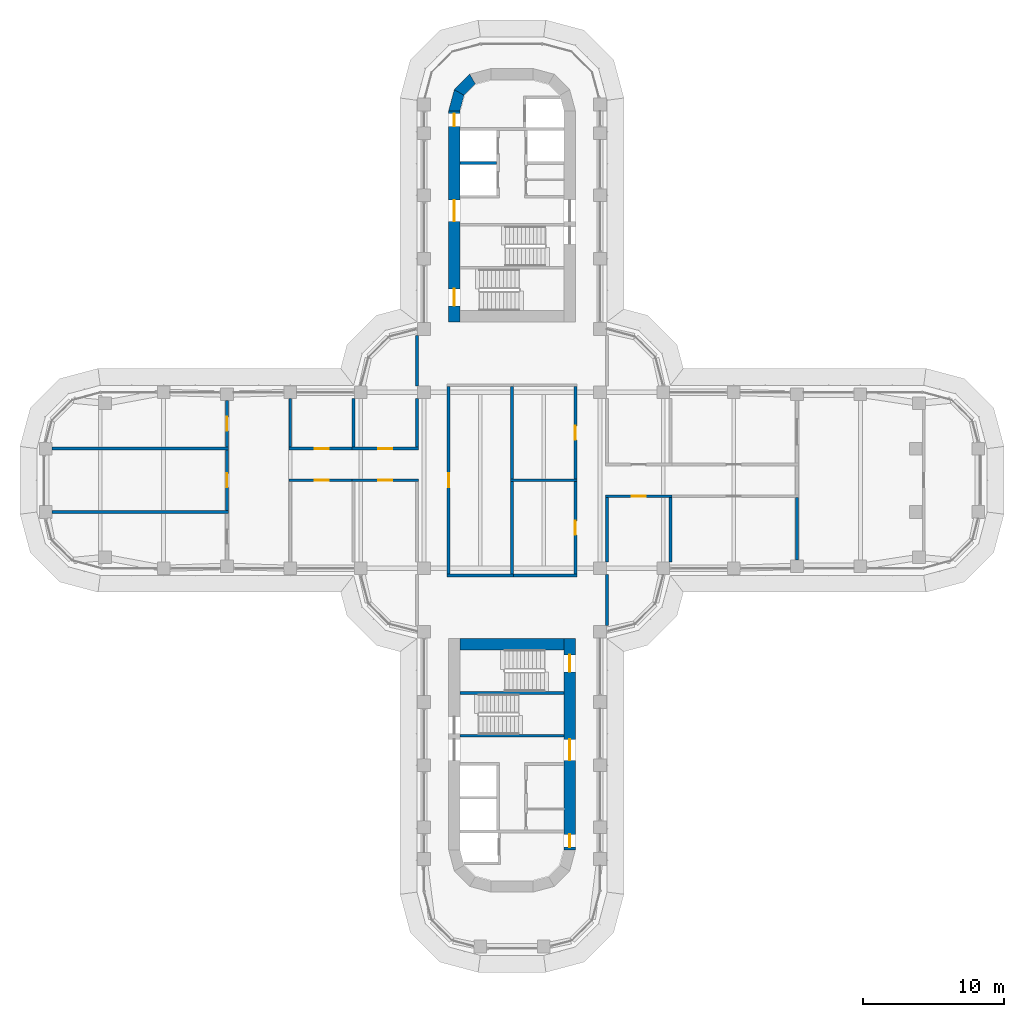
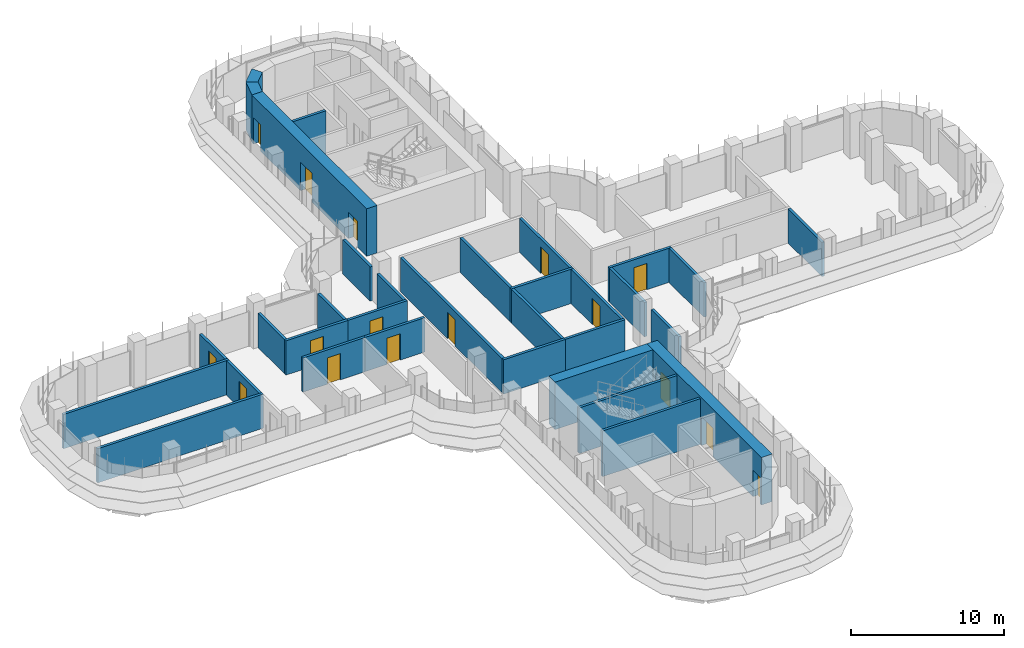
# One storey, part 16 of 22: 33 walls, 16 doors, 16 openings.
"""IFC4 building model written with IfcOpenShell, lengths in metres."""

from ifc_helpers import new_model, si_unit, direction, frame, frame_2d, origin, place, context, subcontext, project, spatial, polyline, rectangle, outline, extrude, material, layer, layer_set, type_object, element, fill, save


model = new_model("IFC4")

# Units and contexts
model_context = context("Model", 3, precision=1e-05, world=origin(), true_north=direction((0.0, 1.0)))
body_context = subcontext(model_context, "Body", "Model", "MODEL_VIEW")
ifc_project = project(units=[si_unit("LENGTHUNIT", "METRE"), si_unit("AREAUNIT", "SQUARE_METRE"), si_unit("VOLUMEUNIT", "CUBIC_METRE"), si_unit("PLANEANGLEUNIT", "RADIAN"), si_unit("MASSUNIT", "GRAM", prefix="KILO")], contexts=[model_context])

# Site, building, storey
site_placement = place(None, origin())
site = spatial("IfcSite", under=ifc_project, at=site_placement, CompositionType="ELEMENT")
building_placement = place(site_placement, origin())
building = spatial("IfcBuilding", under=site, at=building_placement, Name="Zarbagh Exchange Tower", CompositionType="ELEMENT")
storey_placement = place(building_placement, frame((0.0, 0.0, 101.800048828125)))
storey = spatial("IfcBuildingStorey", under=building, at=storey_placement, Name="L23", CompositionType="ELEMENT", Elevation=101.800048828125)

# Wall, opening, door
ifc_material_1 = material(Name="Fire-rated plasterboard partition")
ifc_layer_1 = layer(ifc_material_1, 0.199951171875)
ifc_layer_set_1 = layer_set([ifc_layer_1], Name="RATED PARTITION 200")
wall_type_1 = type_object("IfcWallType", Name="RATED PARTITION 200", PredefinedType="PARTITIONING", material=ifc_layer_set_1)
wall_1_placement = place(storey_placement, frame((-4.5, 6.64990234375, 0.0), z_axis=(0.0, 0.0, 1.0), x_axis=(0.0, -1.0, 0.0)))
wall_1 = element("IfcWall", 1, at=wall_1_placement, inside=storey, type_object=wall_type_1, Name="Partition W-801", PredefinedType="PARTITIONING", context=body_context, shape_type="SweptSolid", body=[
    extrude(rectangle(XDim=13.2998046875, YDim=0.199951171875, at=frame_2d((6.64990234375, 0.0))), origin(), (0.0, 0.0, 1.0), 2.738037109375),
])
opening_1_placement = place(wall_1_placement, frame((6.14990234375, 0.0, 0.0)))
opening_1 = element("IfcOpeningElement", 2, at=opening_1_placement, cuts=wall_1, Name="Opening D-803", PredefinedType="OPENING", context=body_context, shape_type="SweptSolid", body=[
    extrude(rectangle(XDim=1.0, YDim=2.10009765625, at=frame_2d((0.5, 1.050048828125))), frame((0.0, 0.10986328125, 0.0), z_axis=(0.0, -1.0, 0.0), x_axis=(1.0, 0.0, 0.0)), (0.0, 0.0, 1.0), 0.219970703125),
])
ifc_material_2 = material(Name="Steel door set", Category="steel")
door_type_1 = type_object("IfcDoorType", Name="FIRE DOOR 1000 X 2100 FD30S", OperationType="NOTDEFINED", PredefinedType="DOOR", material=ifc_material_2)
door_1_placement = place(opening_1_placement, origin())
door_1 = element("IfcDoor", 3, at=door_1_placement, inside=storey, type_object=door_type_1, Name="Door D-803", OperationType="SINGLE_SWING_RIGHT", OverallHeight=2.10009765625, OverallWidth=1.0, PredefinedType="DOOR", context=body_context, shape_type="SweptSolid", body=[
    extrude(rectangle(XDim=1.0, YDim=2.10009765625, at=frame_2d((0.5, 1.050048828125))), frame((0.0, 0.02490234375, 0.0), z_axis=(0.0, -1.0, 0.0), x_axis=(1.0, 0.0, 0.0)), (0.0, 0.0, 1.0), 0.050048828125),
])
fill(opening_1, door_1)

# Walls
wall_2_placement = place(storey_placement, frame((-6.75, 2.35009765625, 0.0), z_axis=(0.0, 0.0, 1.0), x_axis=(0.0, 1.0, 0.0)))
element("IfcWall", 4, at=wall_2_placement, inside=storey, type_object=wall_type_1, Name="Partition W-802", PredefinedType="PARTITIONING", context=body_context, shape_type="SweptSolid", body=[
    extrude(rectangle(XDim=3.449951171875, YDim=0.199951171875, at=frame_2d((1.72509765625, 0.0))), origin(), (0.0, 0.0, 1.0), 2.738037109375),
])
wall_3_placement = place(storey_placement, frame((-6.75, 6.699951171875, 0.0), z_axis=(0.0, 0.0, 1.0), x_axis=(0.0, 1.0, 0.0)))
element("IfcWall", 5, at=wall_3_placement, inside=storey, type_object=wall_type_1, Name="Partition W-803", PredefinedType="PARTITIONING", context=body_context, shape_type="SweptSolid", body=[
    extrude(rectangle(XDim=3.60009765625, YDim=0.199951171875, at=frame_2d((1.800048828125, 0.0))), origin(), (0.0, 0.0, 1.0), 2.738037109375),
])

# Wall, opening, door
wall_4_placement = place(storey_placement, frame((4.5, 0.10009765625, 0.0), z_axis=(0.0, 0.0, 1.0), x_axis=(0.0, 1.0, 0.0)))
wall_4 = element("IfcWall", 6, at=wall_4_placement, inside=storey, type_object=wall_type_1, Name="Partition W-806", PredefinedType="PARTITIONING", context=body_context, shape_type="SweptSolid", body=[
    extrude(rectangle(XDim=6.5498046875, YDim=0.199951171875, at=frame_2d((3.27490234375, 0.0))), origin(), (0.0, 0.0, 1.0), 2.738037109375),
])
opening_2_placement = place(wall_4_placement, frame((2.77490234375, 0.0, 0.0)))
opening_2 = element("IfcOpeningElement", 7, at=opening_2_placement, cuts=wall_4, Name="Opening D-801", PredefinedType="OPENING", context=body_context, shape_type="SweptSolid", body=[
    extrude(rectangle(XDim=1.0, YDim=2.10009765625, at=frame_2d((0.5, 1.050048828125))), frame((0.0, 0.10986328125, 0.0), z_axis=(0.0, -1.0, 0.0), x_axis=(1.0, 0.0, 0.0)), (0.0, 0.0, 1.0), 0.219970703125),
])
door_2_placement = place(opening_2_placement, origin())
door_2 = element("IfcDoor", 8, at=door_2_placement, inside=storey, type_object=door_type_1, Name="Door D-801", OperationType="SINGLE_SWING_LEFT", OverallHeight=2.10009765625, OverallWidth=1.0, PredefinedType="DOOR", context=body_context, shape_type="SweptSolid", body=[
    extrude(rectangle(XDim=1.0, YDim=2.10009765625, at=frame_2d((0.5, 1.050048828125))), frame((0.0, 0.02490234375, 0.0), z_axis=(0.0, -1.0, 0.0), x_axis=(1.0, 0.0, 0.0)), (0.0, 0.0, 1.0), 0.050048828125),
])
fill(opening_2, door_2)

wall_5_placement = place(storey_placement, frame((4.5, -6.64990234375, 0.0), z_axis=(0.0, 0.0, 1.0), x_axis=(0.0, 1.0, 0.0)))
wall_5 = element("IfcWall", 9, at=wall_5_placement, inside=storey, type_object=wall_type_1, Name="Partition W-807", PredefinedType="PARTITIONING", context=body_context, shape_type="SweptSolid", body=[
    extrude(rectangle(XDim=6.5498046875, YDim=0.199951171875, at=frame_2d((3.27490234375, 0.0))), origin(), (0.0, 0.0, 1.0), 2.738037109375),
])
opening_3_placement = place(wall_5_placement, frame((2.77490234375, 0.0, 0.0)))
opening_3 = element("IfcOpeningElement", 10, at=opening_3_placement, cuts=wall_5, Name="Opening D-802", PredefinedType="OPENING", context=body_context, shape_type="SweptSolid", body=[
    extrude(rectangle(XDim=1.0, YDim=2.10009765625, at=frame_2d((0.5, 1.050048828125))), frame((0.0, 0.10986328125, 0.0), z_axis=(0.0, -1.0, 0.0), x_axis=(1.0, 0.0, 0.0)), (0.0, 0.0, 1.0), 0.219970703125),
])
door_3_placement = place(opening_3_placement, origin())
door_3 = element("IfcDoor", 11, at=door_3_placement, inside=storey, type_object=door_type_1, Name="Door D-802", OperationType="SINGLE_SWING_RIGHT", OverallHeight=2.10009765625, OverallWidth=1.0, PredefinedType="DOOR", context=body_context, shape_type="SweptSolid", body=[
    extrude(rectangle(XDim=1.0, YDim=2.10009765625, at=frame_2d((0.5, 1.050048828125))), frame((0.0, 0.02490234375, 0.0), z_axis=(0.0, -1.0, 0.0), x_axis=(1.0, 0.0, 0.0)), (0.0, 0.0, 1.0), 0.050048828125),
])
fill(opening_3, door_3)

# Walls
wall_6_placement = place(storey_placement, frame((6.75, -10.300048828125, 0.0), z_axis=(0.0, 0.0, 1.0), x_axis=(0.0, 1.0, 0.0)))
element("IfcWall", 12, at=wall_6_placement, inside=storey, type_object=wall_type_1, Name="Partition W-810", PredefinedType="PARTITIONING", context=body_context, shape_type="SweptSolid", body=[
    extrude(rectangle(XDim=3.60009765625, YDim=0.199951171875, at=frame_2d((1.800048828125, 0.0))), origin(), (0.0, 0.0, 1.0), 2.738037109375),
])
wall_7_placement = place(storey_placement, frame((6.75, -5.800048828125, 0.0), z_axis=(0.0, 0.0, 1.0), x_axis=(0.0, 1.0, 0.0)))
element("IfcWall", 13, at=wall_7_placement, inside=storey, type_object=wall_type_1, Name="Partition W-811", PredefinedType="PARTITIONING", context=body_context, shape_type="SweptSolid", body=[
    extrude(rectangle(XDim=4.574951171875, YDim=0.199951171875, at=frame_2d((2.28759765625, 0.0))), origin(), (0.0, 0.0, 1.0), 2.738037109375),
])
for number, where, z_axis, x_axis, name in (
    (14, (-4.60009765625, -6.75, 0.0), (0.0, 0.0, 1.0), (1.0, 0.0, 0.0), "Partition W-814"),
    (15, (-0.10009765625, -6.75, 0.0), (0.0, 0.0, 1.0), (1.0, 0.0, 0.0), "Partition W-815"),
):
    element("IfcWall", number, at=place(storey_placement, frame(where, z_axis=z_axis, x_axis=x_axis)), inside=storey, type_object=wall_type_1, Name=name, PredefinedType="PARTITIONING", context=body_context, shape_type="SweptSolid", body=[
        extrude(rectangle(XDim=4.7001953125, YDim=0.199951171875, at=frame_2d((2.35009765625, 0.0))), origin(), (0.0, 0.0, 1.0), 2.738037109375),
    ])
for number, where, z_axis, x_axis, name in (
    (16, (0.0, 0.10009765625, 0.0), (0.0, 0.0, 1.0), (0.0, 1.0, 0.0), "Partition W-816"),
    (17, (0.0, -6.64990234375, 0.0), (0.0, 0.0, 1.0), (0.0, 1.0, 0.0), "Partition W-817"),
):
    element("IfcWall", number, at=place(storey_placement, frame(where, z_axis=z_axis, x_axis=x_axis)), inside=storey, type_object=wall_type_1, Name=name, PredefinedType="PARTITIONING", context=body_context, shape_type="SweptSolid", body=[
        extrude(rectangle(XDim=6.5498046875, YDim=0.199951171875, at=frame_2d((3.27490234375, 0.0))), origin(), (0.0, 0.0, 1.0), 2.738037109375),
    ])
wall_8_placement = place(storey_placement, frame((-0.10009765625, 0.0, 0.0), z_axis=(0.0, 0.0, 1.0), x_axis=(1.0, 0.0, 0.0)))
element("IfcWall", 18, at=wall_8_placement, inside=storey, type_object=wall_type_1, Name="Partition W-818", PredefinedType="PARTITIONING", context=body_context, shape_type="SweptSolid", body=[
    extrude(rectangle(XDim=4.7001953125, YDim=0.199951171875, at=frame_2d((2.35009765625, 0.0))), origin(), (0.0, 0.0, 1.0), 2.738037109375),
])

# Wall, opening, door
wall_9_placement = place(storey_placement, frame((11.35009765625, -1.125, 0.0), z_axis=(0.0, 0.0, 1.0), x_axis=(-1.0, 0.0, 0.0)))
wall_9 = element("IfcWall", 19, at=wall_9_placement, inside=storey, type_object=wall_type_1, Name="Partition W-820", PredefinedType="PARTITIONING", context=body_context, shape_type="SweptSolid", body=[
    extrude(rectangle(XDim=4.7001953125, YDim=0.199951171875, at=frame_2d((2.35009765625, 0.0))), origin(), (0.0, 0.0, 1.0), 2.738037109375),
])
opening_4_placement = place(wall_9_placement, frame((1.85009765625, 0.0, 0.0)))
opening_4 = element("IfcOpeningElement", 20, at=opening_4_placement, cuts=wall_9, Name="Opening D-808", PredefinedType="OPENING", context=body_context, shape_type="SweptSolid", body=[
    extrude(rectangle(XDim=1.0, YDim=2.10009765625, at=frame_2d((0.5, 1.050048828125))), frame((0.0, 0.10986328125, 0.0), z_axis=(0.0, -1.0, 0.0), x_axis=(1.0, 0.0, 0.0)), (0.0, 0.0, 1.0), 0.219970703125),
])
door_4_placement = place(opening_4_placement, origin())
door_4 = element("IfcDoor", 21, at=door_4_placement, inside=storey, type_object=door_type_1, Name="Door D-808", OperationType="SINGLE_SWING_RIGHT", OverallHeight=2.10009765625, OverallWidth=1.0, PredefinedType="DOOR", context=body_context, shape_type="SweptSolid", body=[
    extrude(rectangle(XDim=1.0, YDim=2.10009765625, at=frame_2d((0.5, 1.050048828125))), frame((0.0, 0.02490234375, 0.0), z_axis=(0.0, -1.0, 0.0), x_axis=(1.0, 0.0, 0.0)), (0.0, 0.0, 1.0), 0.050048828125),
])
fill(opening_4, door_4)

# Walls
wall_10_placement = place(storey_placement, frame((11.25, -5.800048828125, 0.0), z_axis=(0.0, 0.0, 1.0), x_axis=(0.0, 1.0, 0.0)))
element("IfcWall", 22, at=wall_10_placement, inside=storey, type_object=wall_type_1, Name="Partition W-825", PredefinedType="PARTITIONING", context=body_context, shape_type="SweptSolid", body=[
    extrude(rectangle(XDim=4.574951171875, YDim=0.199951171875, at=frame_2d((2.28759765625, 0.0))), origin(), (0.0, 0.0, 1.0), 2.738037109375),
])
wall_11_placement = place(storey_placement, frame((20.25, -5.659912109375, 0.0), z_axis=(0.0, 0.0, 1.0), x_axis=(0.0, 1.0, 0.0)))
element("IfcWall", 23, at=wall_11_placement, inside=storey, type_object=wall_type_1, Name="Partition W-827", PredefinedType="PARTITIONING", context=body_context, shape_type="SweptSolid", body=[
    extrude(rectangle(XDim=4.434814453125, YDim=0.199951171875, at=frame_2d((2.21728515625, 0.0))), origin(), (0.0, 0.0, 1.0), 2.738037109375),
])

# Wall, opening, door
wall_12_placement = place(storey_placement, frame((-11.35009765625, 2.25, 0.0), z_axis=(0.0, 0.0, 1.0), x_axis=(1.0, 0.0, 0.0)))
wall_12 = element("IfcWall", 24, at=wall_12_placement, inside=storey, type_object=wall_type_1, Name="Partition W-829", PredefinedType="PARTITIONING", context=body_context, shape_type="SweptSolid", body=[
    extrude(rectangle(XDim=4.7001953125, YDim=0.199951171875, at=frame_2d((2.35009765625, 0.0))), origin(), (0.0, 0.0, 1.0), 2.738037109375),
])
opening_5_placement = place(wall_12_placement, frame((1.85009765625, 0.0, 0.0)))
opening_5 = element("IfcOpeningElement", 25, at=opening_5_placement, cuts=wall_12, Name="Opening D-810", PredefinedType="OPENING", context=body_context, shape_type="SweptSolid", body=[
    extrude(rectangle(XDim=1.0, YDim=2.10009765625, at=frame_2d((0.5, 1.050048828125))), frame((0.0, 0.10986328125, 0.0), z_axis=(0.0, -1.0, 0.0), x_axis=(1.0, 0.0, 0.0)), (0.0, 0.0, 1.0), 0.219970703125),
])
door_5_placement = place(opening_5_placement, origin())
door_5 = element("IfcDoor", 26, at=door_5_placement, inside=storey, type_object=door_type_1, Name="Door D-810", OperationType="SINGLE_SWING_RIGHT", OverallHeight=2.10009765625, OverallWidth=1.0, PredefinedType="DOOR", context=body_context, shape_type="SweptSolid", body=[
    extrude(rectangle(XDim=1.0, YDim=2.10009765625, at=frame_2d((0.5, 1.050048828125))), frame((0.0, 0.02490234375, 0.0), z_axis=(0.0, -1.0, 0.0), x_axis=(1.0, 0.0, 0.0)), (0.0, 0.0, 1.0), 0.050048828125),
])
fill(opening_5, door_5)

wall_13_placement = place(storey_placement, frame((-6.64990234375, 0.0, 0.0), z_axis=(0.0, 0.0, 1.0), x_axis=(-1.0, 0.0, 0.0)))
wall_13 = element("IfcWall", 27, at=wall_13_placement, inside=storey, type_object=wall_type_1, Name="Partition W-830", PredefinedType="PARTITIONING", context=body_context, shape_type="SweptSolid", body=[
    extrude(rectangle(XDim=4.7001953125, YDim=0.199951171875, at=frame_2d((2.35009765625, 0.0))), origin(), (0.0, 0.0, 1.0), 2.738037109375),
])
opening_6_placement = place(wall_13_placement, frame((1.85009765625, 0.0, 0.0)))
opening_6 = element("IfcOpeningElement", 28, at=opening_6_placement, cuts=wall_13, Name="Opening D-812", PredefinedType="OPENING", context=body_context, shape_type="SweptSolid", body=[
    extrude(rectangle(XDim=1.0, YDim=2.10009765625, at=frame_2d((0.5, 1.050048828125))), frame((0.0, 0.10986328125, 0.0), z_axis=(0.0, -1.0, 0.0), x_axis=(1.0, 0.0, 0.0)), (0.0, 0.0, 1.0), 0.219970703125),
])
door_6_placement = place(opening_6_placement, origin())
door_6 = element("IfcDoor", 29, at=door_6_placement, inside=storey, type_object=door_type_1, Name="Door D-812", OperationType="SINGLE_SWING_RIGHT", OverallHeight=2.10009765625, OverallWidth=1.0, PredefinedType="DOOR", context=body_context, shape_type="SweptSolid", body=[
    extrude(rectangle(XDim=1.0, YDim=2.10009765625, at=frame_2d((0.5, 1.050048828125))), frame((0.0, 0.02490234375, 0.0), z_axis=(0.0, -1.0, 0.0), x_axis=(1.0, 0.0, 0.0)), (0.0, 0.0, 1.0), 0.050048828125),
])
fill(opening_6, door_6)

wall_14_placement = place(storey_placement, frame((-15.85009765625, 2.25, 0.0), z_axis=(0.0, 0.0, 1.0), x_axis=(1.0, 0.0, 0.0)))
wall_14 = element("IfcWall", 30, at=wall_14_placement, inside=storey, type_object=wall_type_1, Name="Partition W-831", PredefinedType="PARTITIONING", context=body_context, shape_type="SweptSolid", body=[
    extrude(rectangle(XDim=4.7001953125, YDim=0.199951171875, at=frame_2d((2.35009765625, 0.0))), origin(), (0.0, 0.0, 1.0), 2.738037109375),
])
opening_7_placement = place(wall_14_placement, frame((1.85009765625, 0.0, 0.0)))
opening_7 = element("IfcOpeningElement", 31, at=opening_7_placement, cuts=wall_14, Name="Opening D-811", PredefinedType="OPENING", context=body_context, shape_type="SweptSolid", body=[
    extrude(rectangle(XDim=1.0, YDim=2.10009765625, at=frame_2d((0.5, 1.050048828125))), frame((0.0, 0.10986328125, 0.0), z_axis=(0.0, -1.0, 0.0), x_axis=(1.0, 0.0, 0.0)), (0.0, 0.0, 1.0), 0.219970703125),
])
door_7_placement = place(opening_7_placement, origin())
door_7 = element("IfcDoor", 32, at=door_7_placement, inside=storey, type_object=door_type_1, Name="Door D-811", OperationType="SINGLE_SWING_RIGHT", OverallHeight=2.10009765625, OverallWidth=1.0, PredefinedType="DOOR", context=body_context, shape_type="SweptSolid", body=[
    extrude(rectangle(XDim=1.0, YDim=2.10009765625, at=frame_2d((0.5, 1.050048828125))), frame((0.0, 0.02490234375, 0.0), z_axis=(0.0, -1.0, 0.0), x_axis=(1.0, 0.0, 0.0)), (0.0, 0.0, 1.0), 0.050048828125),
])
fill(opening_7, door_7)

wall_15_placement = place(storey_placement, frame((-11.14990234375, 0.0, 0.0), z_axis=(0.0, 0.0, 1.0), x_axis=(-1.0, 0.0, 0.0)))
wall_15 = element("IfcWall", 33, at=wall_15_placement, inside=storey, type_object=wall_type_1, Name="Partition W-832", PredefinedType="PARTITIONING", context=body_context, shape_type="SweptSolid", body=[
    extrude(rectangle(XDim=4.7001953125, YDim=0.199951171875, at=frame_2d((2.35009765625, 0.0))), origin(), (0.0, 0.0, 1.0), 2.738037109375),
])
opening_8_placement = place(wall_15_placement, frame((1.85009765625, 0.0, 0.0)))
opening_8 = element("IfcOpeningElement", 34, at=opening_8_placement, cuts=wall_15, Name="Opening D-813", PredefinedType="OPENING", context=body_context, shape_type="SweptSolid", body=[
    extrude(rectangle(XDim=1.0, YDim=2.10009765625, at=frame_2d((0.5, 1.050048828125))), frame((0.0, 0.10986328125, 0.0), z_axis=(0.0, -1.0, 0.0), x_axis=(1.0, 0.0, 0.0)), (0.0, 0.0, 1.0), 0.219970703125),
])
door_8_placement = place(opening_8_placement, origin())
door_8 = element("IfcDoor", 35, at=door_8_placement, inside=storey, type_object=door_type_1, Name="Door D-813", OperationType="SINGLE_SWING_RIGHT", OverallHeight=2.10009765625, OverallWidth=1.0, PredefinedType="DOOR", context=body_context, shape_type="SweptSolid", body=[
    extrude(rectangle(XDim=1.0, YDim=2.10009765625, at=frame_2d((0.5, 1.050048828125))), frame((0.0, 0.02490234375, 0.0), z_axis=(0.0, -1.0, 0.0), x_axis=(1.0, 0.0, 0.0)), (0.0, 0.0, 1.0), 0.050048828125),
])
fill(opening_8, door_8)

# Walls
for number, where, z_axis, x_axis, name in (
    (36, (-11.25, 2.35009765625, 0.0), (0.0, 0.0, 1.0), (0.0, 1.0, 0.0), "Partition W-833"),
    (37, (-15.75, 2.35009765625, 0.0), (0.0, 0.0, 1.0), (0.0, 1.0, 0.0), "Partition W-835"),
):
    element("IfcWall", number, at=place(storey_placement, frame(where, z_axis=z_axis, x_axis=x_axis)), inside=storey, type_object=wall_type_1, Name=name, PredefinedType="PARTITIONING", context=body_context, shape_type="SweptSolid", body=[
        extrude(rectangle(XDim=3.449951171875, YDim=0.199951171875, at=frame_2d((1.72509765625, 0.0))), origin(), (0.0, 0.0, 1.0), 2.738037109375),
    ])

# Wall, opening, door
wall_16_placement = place(storey_placement, frame((-20.25, -2.14990234375, 0.0), z_axis=(0.0, 0.0, 1.0), x_axis=(0.0, 1.0, 0.0)))
wall_16 = element("IfcWall", 38, at=wall_16_placement, inside=storey, type_object=wall_type_1, Name="Partition W-838", PredefinedType="PARTITIONING", context=body_context, shape_type="SweptSolid", body=[
    extrude(rectangle(XDim=4.2998046875, YDim=0.199951171875, at=frame_2d((2.14990234375, 0.0))), origin(), (0.0, 0.0, 1.0), 2.738037109375),
])
opening_9_placement = place(wall_16_placement, frame((1.64990234375, 0.0, 0.0)))
opening_9 = element("IfcOpeningElement", 39, at=opening_9_placement, cuts=wall_16, Name="Opening D-815", PredefinedType="OPENING", context=body_context, shape_type="SweptSolid", body=[
    extrude(rectangle(XDim=1.0, YDim=2.10009765625, at=frame_2d((0.5, 1.050048828125))), frame((0.0, 0.10986328125, 0.0), z_axis=(0.0, -1.0, 0.0), x_axis=(1.0, 0.0, 0.0)), (0.0, 0.0, 1.0), 0.219970703125),
])
door_9_placement = place(opening_9_placement, origin())
door_9 = element("IfcDoor", 40, at=door_9_placement, inside=storey, type_object=door_type_1, Name="Door D-815", OperationType="SINGLE_SWING_RIGHT", OverallHeight=2.10009765625, OverallWidth=1.0, PredefinedType="DOOR", context=body_context, shape_type="SweptSolid", body=[
    extrude(rectangle(XDim=1.0, YDim=2.10009765625, at=frame_2d((0.5, 1.050048828125))), frame((0.0, 0.02490234375, 0.0), z_axis=(0.0, -1.0, 0.0), x_axis=(1.0, 0.0, 0.0)), (0.0, 0.0, 1.0), 0.050048828125),
])
fill(opening_9, door_9)

wall_17_placement = place(storey_placement, frame((-20.25, 2.35009765625, 0.0), z_axis=(0.0, 0.0, 1.0), x_axis=(0.0, 1.0, 0.0)))
wall_17 = element("IfcWall", 41, at=wall_17_placement, inside=storey, type_object=wall_type_1, Name="Partition W-839", PredefinedType="PARTITIONING", context=body_context, shape_type="SweptSolid", body=[
    extrude(rectangle(XDim=3.309814453125, YDim=0.199951171875, at=frame_2d((1.65478515625, 0.0))), origin(), (0.0, 0.0, 1.0), 2.738037109375),
])
opening_10_placement = place(wall_17_placement, frame((1.155029296875, 0.0, 0.0)))
opening_10 = element("IfcOpeningElement", 42, at=opening_10_placement, cuts=wall_17, Name="Opening D-816", PredefinedType="OPENING", context=body_context, shape_type="SweptSolid", body=[
    extrude(rectangle(XDim=1.0, YDim=2.10009765625, at=frame_2d((0.5, 1.050048828125))), frame((0.0, 0.10986328125, 0.0), z_axis=(0.0, -1.0, 0.0), x_axis=(1.0, 0.0, 0.0)), (0.0, 0.0, 1.0), 0.219970703125),
])
door_10_placement = place(opening_10_placement, origin())
door_10 = element("IfcDoor", 43, at=door_10_placement, inside=storey, type_object=door_type_1, Name="Door D-816", OperationType="SINGLE_SWING_LEFT", OverallHeight=2.10009765625, OverallWidth=1.0, PredefinedType="DOOR", context=body_context, shape_type="SweptSolid", body=[
    extrude(rectangle(XDim=1.0, YDim=2.10009765625, at=frame_2d((0.5, 1.050048828125))), frame((0.0, 0.02490234375, 0.0), z_axis=(0.0, -1.0, 0.0), x_axis=(1.0, 0.0, 0.0)), (0.0, 0.0, 1.0), 0.050048828125),
])
fill(opening_10, door_10)

# Walls
for number, where, z_axis, x_axis, name in (
    (44, (-32.659912109375, -2.25, 0.0), (0.0, 0.0, 1.0), (1.0, 0.0, 0.0), "Partition W-840"),
    (45, (-32.659912109375, 2.25, 0.0), (0.0, 0.0, 1.0), (1.0, 0.0, 0.0), "Partition W-841"),
):
    element("IfcWall", number, at=place(storey_placement, frame(where, z_axis=z_axis, x_axis=x_axis)), inside=storey, type_object=wall_type_1, Name=name, PredefinedType="PARTITIONING", context=body_context, shape_type="SweptSolid", body=[
        extrude(rectangle(XDim=12.510009765625, YDim=0.199951171875, at=frame_2d((6.2548828125, 0.0))), origin(), (0.0, 0.0, 1.0), 2.738037109375),
    ])
ifc_material_3 = material(Name="Concrete C60/75", Category="concrete")
ifc_layer_2 = layer(ifc_material_3, 0.800048828125)
ifc_layer_set_2 = layer_set([ifc_layer_2], Name="RC core corner wall 800 C60/75")
wall_type_2 = type_object("IfcWallType", Name="RC core corner wall 800 C60/75", PredefinedType="SHEAR", material=ifc_layer_set_2)
wall_18_placement = place(storey_placement, origin())
element("IfcWall", 46, at=wall_18_placement, inside=storey, type_object=wall_type_2, Name="CW4 core N corner W", PredefinedType="SHEAR", context=body_context, shape_type="SweptSolid", body=[
    extrude(outline(polyline([(-4.5, 26.25), (-4.09814453125, 27.75), (-3.4052734375, 27.35009765625), (-3.699951171875, 26.25), (-4.5, 26.25)])), origin(), (0.0, 0.0, 1.0), 3.800048828125),
])
wall_19_placement = place(storey_placement, origin())
element("IfcWall", 47, at=wall_19_placement, inside=storey, type_object=wall_type_2, Name="CW4 core N corner W", PredefinedType="SHEAR", context=body_context, shape_type="SweptSolid", body=[
    extrude(outline(polyline([(-4.09814453125, 27.75), (-3.0, 28.84814453125), (-2.60009765625, 28.1552734375), (-3.4052734375, 27.35009765625), (-4.09814453125, 27.75)])), origin(), (0.0, 0.0, 1.0), 3.800048828125),
])

# Wall, openings, doors
ifc_layer_3 = layer(ifc_material_3, 0.800048828125)
ifc_layer_set_3 = layer_set([ifc_layer_3], Name="RC core wall 800 C60/75")
wall_type_3 = type_object("IfcWallType", Name="RC core wall 800 C60/75", PredefinedType="SHEAR", material=ifc_layer_set_3)
wall_20_placement = place(storey_placement, frame((-4.10009765625, 11.25, 0.0), z_axis=(0.0, 0.0, 1.0), x_axis=(0.0, 1.0, 0.0)))
wall_20 = element("IfcWall", 48, at=wall_20_placement, inside=storey, type_object=wall_type_3, Name="CW3 core N W", PredefinedType="SHEAR", context=body_context, shape_type="SweptSolid", body=[
    extrude(rectangle(XDim=15.0, YDim=0.800048828125, at=frame_2d((7.5, 0.0))), origin(), (0.0, 0.0, 1.0), 3.800048828125),
])
opening_11_placement = place(wall_20_placement, frame((7.14990234375, 0.0, 0.0)))
opening_11 = element("IfcOpeningElement", 49, at=opening_11_placement, cuts=wall_20, Name="Opening CD1-1500", PredefinedType="OPENING", context=body_context, shape_type="SweptSolid", body=[
    extrude(rectangle(XDim=1.5, YDim=2.300048828125, at=frame_2d((0.75, 1.14990234375))), frame((0.0, 0.409912109375, 0.0), z_axis=(0.0, -1.0, 0.0), x_axis=(1.0, 0.0, 0.0)), (0.0, 0.0, 1.0), 0.820068359375),
])
opening_12_placement = place(wall_20_placement, frame((13.89990234375, 0.0, 0.0)))
opening_12 = element("IfcOpeningElement", 50, at=opening_12_placement, cuts=wall_20, Name="Opening CD2-900", PredefinedType="OPENING", context=body_context, shape_type="SweptSolid", body=[
    extrude(rectangle(XDim=0.89990234375, YDim=2.10009765625, at=frame_2d((0.449951171875, 1.050048828125))), frame((0.0, 0.409912109375, 0.0), z_axis=(0.0, -1.0, 0.0), x_axis=(1.0, 0.0, 0.0)), (0.0, 0.0, 1.0), 0.820068359375),
])
opening_13_placement = place(wall_20_placement, frame((1.14990234375, 0.0, 0.0)))
opening_13 = element("IfcOpeningElement", 51, at=opening_13_placement, cuts=wall_20, Name="Opening SD1-1200", PredefinedType="OPENING", context=body_context, shape_type="SweptSolid", body=[
    extrude(rectangle(XDim=1.199951171875, YDim=2.10009765625, at=frame_2d((0.60009765625, 1.050048828125))), frame((0.0, 0.409912109375, 0.0), z_axis=(0.0, -1.0, 0.0), x_axis=(1.0, 0.0, 0.0)), (0.0, 0.0, 1.0), 0.820068359375),
])
ifc_material_4 = material(Name="Steel", Category="steel")
door_type_2 = type_object("IfcDoorType", Name="Exit stair door 1200 x 2100", OperationType="NOTDEFINED", PredefinedType="DOOR", material=ifc_material_4)
door_11_placement = place(opening_13_placement, origin())
door_11 = element("IfcDoor", 52, at=door_11_placement, inside=storey, type_object=door_type_2, Name="North core stair door ST2", OperationType="SINGLE_SWING_LEFT", OverallHeight=2.10009765625, OverallWidth=1.199951171875, PredefinedType="DOOR", context=body_context, shape_type="SweptSolid", body=[
    extrude(rectangle(XDim=1.199951171875, YDim=2.10009765625, at=frame_2d((0.60009765625, 1.050048828125))), frame((0.0, 0.02490234375, 0.0), z_axis=(0.0, -1.0, 0.0), x_axis=(1.0, 0.0, 0.0)), (0.0, 0.0, 1.0), 0.050048828125),
])
fill(opening_13, door_11)
door_type_3 = type_object("IfcDoorType", Name="Firefighting lobby door 900 x 2100", OperationType="NOTDEFINED", PredefinedType="DOOR", material=ifc_material_4)
door_12_placement = place(opening_12_placement, origin())
door_12 = element("IfcDoor", 53, at=door_12_placement, inside=storey, type_object=door_type_3, Name="North core firefighting lobby door FF-W", OperationType="SINGLE_SWING_RIGHT", OverallHeight=2.10009765625, OverallWidth=0.89990234375, PredefinedType="DOOR", context=body_context, shape_type="SweptSolid", body=[
    extrude(rectangle(XDim=0.89990234375, YDim=2.10009765625, at=frame_2d((0.449951171875, 1.050048828125))), frame((0.0, 0.02490234375, 0.0), z_axis=(0.0, -1.0, 0.0), x_axis=(1.0, 0.0, 0.0)), (0.0, 0.0, 1.0), 0.050048828125),
])
fill(opening_12, door_12)
door_type_4 = type_object("IfcDoorType", Name="Lift lobby double door 1500 x 2300", OperationType="NOTDEFINED", PredefinedType="DOOR", material=ifc_material_4)
door_13_placement = place(opening_11_placement, origin())
door_13 = element("IfcDoor", 54, at=door_13_placement, inside=storey, type_object=door_type_4, Name="North core lift lobby door LOBBY-W", OperationType="DOUBLE_DOOR_SINGLE_SWING", OverallHeight=2.300048828125, OverallWidth=1.5, PredefinedType="DOOR", context=body_context, shape_type="SweptSolid", body=[
    extrude(rectangle(XDim=1.5, YDim=2.300048828125, at=frame_2d((0.75, 1.14990234375))), frame((0.0, 0.02490234375, 0.0), z_axis=(0.0, -1.0, 0.0), x_axis=(1.0, 0.0, 0.0)), (0.0, 0.0, 1.0), 0.050048828125),
])
fill(opening_11, door_13)

wall_21_placement = place(storey_placement, frame((4.10009765625, -11.25, 0.0), z_axis=(0.0, 0.0, 1.0), x_axis=(0.0, -1.0, 0.0)))
wall_21 = element("IfcWall", 55, at=wall_21_placement, inside=storey, type_object=wall_type_3, Name="CW3 core S E", PredefinedType="SHEAR", context=body_context, shape_type="SweptSolid", body=[
    extrude(rectangle(XDim=15.0, YDim=0.800048828125, at=frame_2d((7.5, 0.0))), origin(), (0.0, 0.0, 1.0), 3.800048828125),
])
opening_14_placement = place(wall_21_placement, frame((7.14990234375, 0.0, 0.0)))
opening_14 = element("IfcOpeningElement", 56, at=opening_14_placement, cuts=wall_21, Name="Opening CD1-1500", PredefinedType="OPENING", context=body_context, shape_type="SweptSolid", body=[
    extrude(rectangle(XDim=1.5, YDim=2.300048828125, at=frame_2d((0.75, 1.14990234375))), frame((0.0, 0.409912109375, 0.0), z_axis=(0.0, -1.0, 0.0), x_axis=(1.0, 0.0, 0.0)), (0.0, 0.0, 1.0), 0.820068359375),
])
opening_15_placement = place(wall_21_placement, frame((13.89990234375, 0.0, 0.0)))
opening_15 = element("IfcOpeningElement", 57, at=opening_15_placement, cuts=wall_21, Name="Opening CD2-900", PredefinedType="OPENING", context=body_context, shape_type="SweptSolid", body=[
    extrude(rectangle(XDim=0.89990234375, YDim=2.10009765625, at=frame_2d((0.449951171875, 1.050048828125))), frame((0.0, 0.409912109375, 0.0), z_axis=(0.0, -1.0, 0.0), x_axis=(1.0, 0.0, 0.0)), (0.0, 0.0, 1.0), 0.820068359375),
])
opening_16_placement = place(wall_21_placement, frame((1.14990234375, 0.0, 0.0)))
opening_16 = element("IfcOpeningElement", 58, at=opening_16_placement, cuts=wall_21, Name="Opening SD1-1200", PredefinedType="OPENING", context=body_context, shape_type="SweptSolid", body=[
    extrude(rectangle(XDim=1.199951171875, YDim=2.10009765625, at=frame_2d((0.60009765625, 1.050048828125))), frame((0.0, 0.409912109375, 0.0), z_axis=(0.0, -1.0, 0.0), x_axis=(1.0, 0.0, 0.0)), (0.0, 0.0, 1.0), 0.820068359375),
])
door_14_placement = place(opening_16_placement, origin())
door_14 = element("IfcDoor", 59, at=door_14_placement, inside=storey, type_object=door_type_2, Name="South core stair door ST2", OperationType="SINGLE_SWING_RIGHT", OverallHeight=2.10009765625, OverallWidth=1.199951171875, PredefinedType="DOOR", context=body_context, shape_type="SweptSolid", body=[
    extrude(rectangle(XDim=1.199951171875, YDim=2.10009765625, at=frame_2d((0.60009765625, 1.050048828125))), frame((0.0, 0.02490234375, 0.0), z_axis=(0.0, -1.0, 0.0), x_axis=(1.0, 0.0, 0.0)), (0.0, 0.0, 1.0), 0.050048828125),
])
fill(opening_16, door_14)
door_15_placement = place(opening_15_placement, origin())
door_15 = element("IfcDoor", 60, at=door_15_placement, inside=storey, type_object=door_type_3, Name="South core firefighting lobby door FF-W", OperationType="SINGLE_SWING_RIGHT", OverallHeight=2.10009765625, OverallWidth=0.89990234375, PredefinedType="DOOR", context=body_context, shape_type="SweptSolid", body=[
    extrude(rectangle(XDim=0.89990234375, YDim=2.10009765625, at=frame_2d((0.449951171875, 1.050048828125))), frame((0.0, 0.02490234375, 0.0), z_axis=(0.0, -1.0, 0.0), x_axis=(1.0, 0.0, 0.0)), (0.0, 0.0, 1.0), 0.050048828125),
])
fill(opening_15, door_15)
door_16_placement = place(opening_14_placement, origin())
door_16 = element("IfcDoor", 61, at=door_16_placement, inside=storey, type_object=door_type_4, Name="South core lift lobby door LOBBY-W", OperationType="DOUBLE_DOOR_SINGLE_SWING", OverallHeight=2.300048828125, OverallWidth=1.5, PredefinedType="DOOR", context=body_context, shape_type="SweptSolid", body=[
    extrude(rectangle(XDim=1.5, YDim=2.300048828125, at=frame_2d((0.75, 1.14990234375))), frame((0.0, 0.02490234375, 0.0), z_axis=(0.0, -1.0, 0.0), x_axis=(1.0, 0.0, 0.0)), (0.0, 0.0, 1.0), 0.050048828125),
])
fill(opening_14, door_16)

# Walls
wall_22_placement = place(storey_placement, frame((-3.699951171875, -11.64990234375, 0.0), z_axis=(0.0, 0.0, 1.0), x_axis=(1.0, 0.0, 0.0)))
element("IfcWall", 62, at=wall_22_placement, inside=storey, type_object=wall_type_3, Name="CW3 core S inner end", PredefinedType="SHEAR", context=body_context, shape_type="SweptSolid", body=[
    extrude(rectangle(XDim=7.39990234375, YDim=0.800048828125, at=frame_2d((3.699951171875, 0.0))), origin(), (0.0, 0.0, 1.0), 3.800048828125),
])
ifc_material_5 = material(Name="Dense blockwork", Category="masonry")
ifc_layer_4 = layer(ifc_material_5, 0.199951171875)
ifc_layer_set_4 = layer_set([ifc_layer_4], Name="Shaft wall 200 mm blockwork")
wall_type_4 = type_object("IfcWallType", Name="Shaft wall 200 mm blockwork", PredefinedType="PARTITIONING", material=ifc_layer_set_4)
wall_23_placement = place(storey_placement, frame((-3.699951171875, 22.550048828125, 0.0), z_axis=(0.0, 0.0, 1.0), x_axis=(1.0, 0.0, 0.0)))
element("IfcWall", 63, at=wall_23_placement, inside=storey, type_object=wall_type_4, Name="North core shaft wall TR-W", PredefinedType="PARTITIONING", context=body_context, shape_type="SweptSolid", body=[
    extrude(rectangle(XDim=2.599853515625, YDim=0.199951171875, at=frame_2d((1.2998046875, 0.0))), origin(), (0.0, 0.0, 1.0), 3.64990234375),
])
ifc_material_6 = material(Name="Concrete C40/50", Category="concrete")
ifc_layer_5 = layer(ifc_material_6, 0.199951171875)
ifc_layer_set_5 = layer_set([ifc_layer_5], Name="Stair enclosure wall 200 mm RC C40/50")
wall_type_5 = type_object("IfcWallType", Name="Stair enclosure wall 200 mm RC C40/50", PredefinedType="SHEAR", material=ifc_layer_set_5)
for number, where, z_axis, x_axis, name in (
    (64, (3.699951171875, -18.14990234375, 0.0), (0.0, 0.0, 1.0), (-1.0, 0.0, 0.0), "South core stair wall BS"),
    (65, (3.699951171875, -15.10009765625, 0.0), (0.0, 0.0, 1.0), (-1.0, 0.0, 0.0), "South core stair wall ST12"),
):
    element("IfcWall", number, at=place(storey_placement, frame(where, z_axis=z_axis, x_axis=x_axis)), inside=storey, type_object=wall_type_5, Name=name, PredefinedType="SHEAR", context=body_context, shape_type="SweptSolid", body=[
        extrude(rectangle(XDim=7.39990234375, YDim=0.199951171875, at=frame_2d((3.699951171875, 0.0))), origin(), (0.0, 0.0, 1.0), 3.64990234375),
    ])

save(model, "model.ifc")
